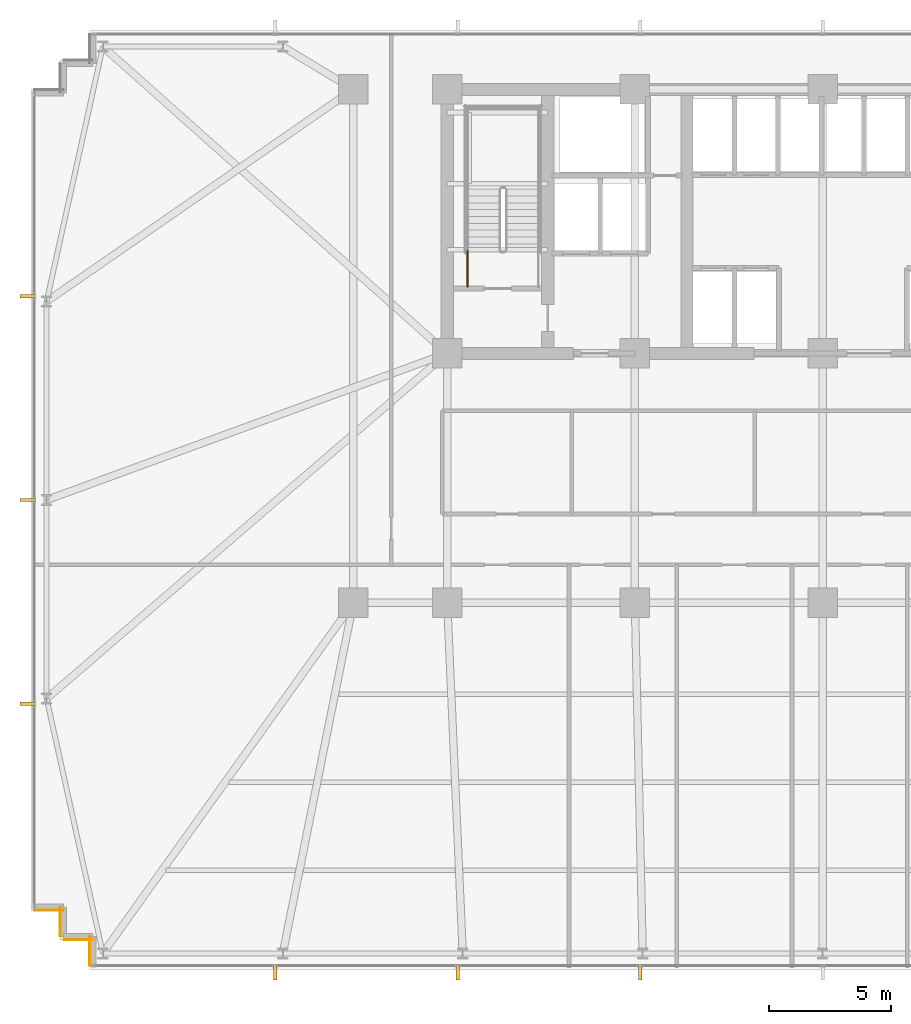
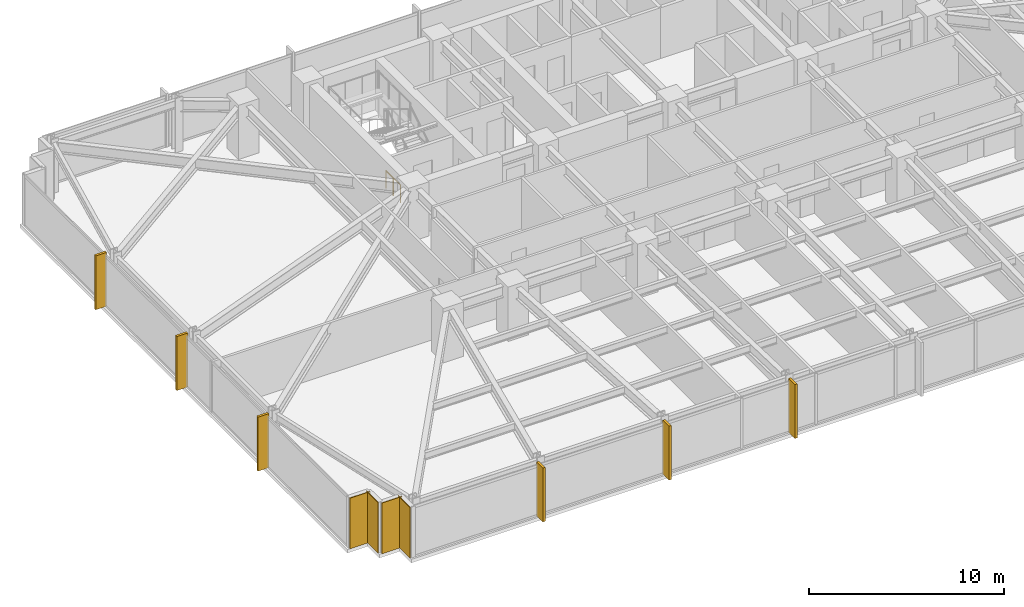
# One storey, part 27 of 32: 6 shading devices, 4 coverings, 1 railing.
"""IFC4 building model written with IfcOpenShell, lengths in metres."""

from ifc_helpers import new_model, si_unit, direction, frame, frame_2d, origin, origin_2d, place, context, subcontext, project, spatial, rectangle, circle, extrude, material, layer, layer_set, type_object, element, save


model = new_model("IFC4")

# Units and contexts
model_context = context("Model", 3, precision=1e-05, world=origin(), true_north=direction((0.0, 1.0)))
body_context = subcontext(model_context, "Body", "Model", "MODEL_VIEW")
ifc_project = project(units=[si_unit("LENGTHUNIT", "METRE"), si_unit("AREAUNIT", "SQUARE_METRE"), si_unit("VOLUMEUNIT", "CUBIC_METRE"), si_unit("PLANEANGLEUNIT", "RADIAN"), si_unit("MASSUNIT", "GRAM", prefix="KILO")], contexts=[model_context])

# Site, building, storey
site_placement = place(None, origin())
site = spatial("IfcSite", under=ifc_project, at=site_placement, CompositionType="ELEMENT")
building_placement = place(site_placement, origin())
building = spatial("IfcBuilding", under=site, at=building_placement, Name="Yelkora Congress Tower", CompositionType="ELEMENT")
storey_placement = place(building_placement, frame((0.0, 0.0, 57.60009765625)))
storey = spatial("IfcBuildingStorey", under=building, at=storey_placement, Name="L14", CompositionType="ELEMENT", Elevation=57.60009765625)

# Coverings
ifc_material_1 = material(Name="Anatolian bush-hammered limestone", Category="masonry")
ifc_layer_1 = layer(ifc_material_1, 0.0400390625)
ifc_layer_set_1 = layer_set([ifc_layer_1], Name="Anatolian bush-hammered limestone")
covering_type = type_object("IfcCoveringType", Name="COV-CLAD-SPANDREL-40", PredefinedType="CLADDING", material=ifc_layer_set_1)
for number, where, z_axis, x_axis, name in (
    (1, (8.405029296875, 10.340087890625, 0.0), (0.0, 0.0, 1.0), (0.0, 1.0, 0.0), "L14 Anatolian Limestone Cladding EW-L14-SR01"),
    (2, (8.5400390625, 11.405029296875, 0.0), (0.0, 0.0, 1.0), (-1.0, 0.0, 0.0), "L14 Anatolian Limestone Cladding EW-L14-SR02"),
    (3, (7.205078125, 11.5400390625, 0.0), (0.0, 0.0, 1.0), (0.0, 1.0, 0.0), "L14 Anatolian Limestone Cladding EW-L14-SR03"),
):
    element("IfcCovering", number, at=place(storey_placement, frame(where, z_axis=z_axis, x_axis=x_axis)), inside=storey, type_object=covering_type, Name=name, PredefinedType="CLADDING", context=body_context, shape_type="SweptSolid", body=[
        extrude(rectangle(XDim=1.199951171875, YDim=0.0400390625, at=frame_2d((0.60009765625, 0.0))), origin(), (0.0, 0.0, 1.0), 3.179931640625),
    ])
covering_placement = place(storey_placement, frame((7.340087890625, 12.60498046875, 0.0), z_axis=(0.0, 0.0, 1.0), x_axis=(-1.0, 0.0, 0.0)))
element("IfcCovering", 4, at=covering_placement, inside=storey, type_object=covering_type, Name="L14 Anatolian Limestone Cladding EW-L14-SR04", PredefinedType="CLADDING", context=body_context, shape_type="SweptSolid", body=[
    extrude(rectangle(XDim=1.2001953125, YDim=0.0400390625, at=frame_2d((0.60009765625, 0.0))), origin(), (0.0, 0.0, 1.0), 3.179931640625),
])

# Railing
ifc_material_2 = material(Name="Painted galvanised steel stair well guard with vertical infill", Category="steel")
ifc_layer_2 = layer(ifc_material_2, 0.06005859375)
ifc_layer_set_2 = layer_set([ifc_layer_2], Name="Painted galvanised steel stair well guard with vertical infill")
railing_type = type_object("IfcRailingType", Name="RAIL-STAIR-GUARD-1120", PredefinedType="GUARDRAIL", material=ifc_layer_set_2)
railing_placement = place(storey_placement, frame((23.8701171875, 38.1201171875, 0.0)))
element("IfcRailing", 5, at=railing_placement, inside=storey, type_object=railing_type, Name="ST-01 L14 Stair Well Guardrail 9", PredefinedType="GUARDRAIL", context=body_context, shape_type="SweptSolid", body=[
    extrude(circle(Radius=0.02392578125, at=origin_2d()), frame((0.0, 0.0, 1.09619140625), z_axis=(0.0, 1.0, 0.0), x_axis=(-1.0, 0.0, 0.0)), (0.0, 0.0, 1.0), 1.47998046875),
    extrude(circle(Radius=0.02099609375, at=origin_2d()), origin(), (0.0, 0.0, 1.0), 1.072021484375),
    extrude(circle(Radius=0.02099609375, at=origin_2d()), frame((0.0, 0.739990234375, 0.0)), (0.0, 0.0, 1.0), 1.072021484375),
    extrude(circle(Radius=0.02099609375, at=origin_2d()), frame((0.0, 1.47998046875, 0.0)), (0.0, 0.0, 1.0), 1.072021484375),
])

# Shading devices
ifc_material_3 = material(Name="Champagne anodised aluminium", Category="aluminium")
ifc_layer_3 = layer(ifc_material_3, 3.39990234375)
ifc_layer_set_3 = layer_set([ifc_layer_3], Name="Champagne anodised aluminium")
shading_device_type = type_object("IfcShadingDeviceType", Name="SHD-FIN-ALU-640", PredefinedType="USERDEFINED", material=ifc_layer_set_3)
for number, where, z_axis, x_axis, name in (
    (6, (5.8798828125, 21.070068359375, -0.030029296875), (0.0, 0.0, 1.0), (0.0, 1.0, 0.0), "L14 Vertical Anodised Solar Fin 5-1"),
    (7, (5.8798828125, 29.39990234375, -0.030029296875), (0.0, 0.0, 1.0), (0.0, 1.0, 0.0), "L14 Vertical Anodised Solar Fin 5-2"),
    (8, (5.8798828125, 37.72998046875, -0.030029296875), (0.0, 0.0, 1.0), (0.0, 1.0, 0.0), "L14 Vertical Anodised Solar Fin 5-3"),
    (9, (30.93505859375, 10.080078125, -0.030029296875), (0.0, 0.0, 1.0), (-1.0, 0.0, 0.0), "L14 Vertical Anodised Solar Fin 20-5"),
    (10, (23.469970703125, 10.080078125, -0.030029296875), (0.0, 0.0, 1.0), (-1.0, 0.0, 0.0), "L14 Vertical Anodised Solar Fin 20-6"),
    (11, (16.0048828125, 10.080078125, -0.030029296875), (0.0, 0.0, 1.0), (-1.0, 0.0, 0.0), "L14 Vertical Anodised Solar Fin 20-7"),
):
    element("IfcShadingDevice", number, at=place(storey_placement, frame(where, z_axis=z_axis, x_axis=x_axis)), inside=storey, type_object=shading_device_type, Name=name, ObjectType="FIN", PredefinedType="USERDEFINED", context=body_context, shape_type="SweptSolid", body=[
        extrude(rectangle(XDim=0.139892578125, YDim=0.639892578125, at=origin_2d()), origin(), (0.0, 0.0, 1.0), 3.3798828125),
    ])

save(model, "model.ifc")
